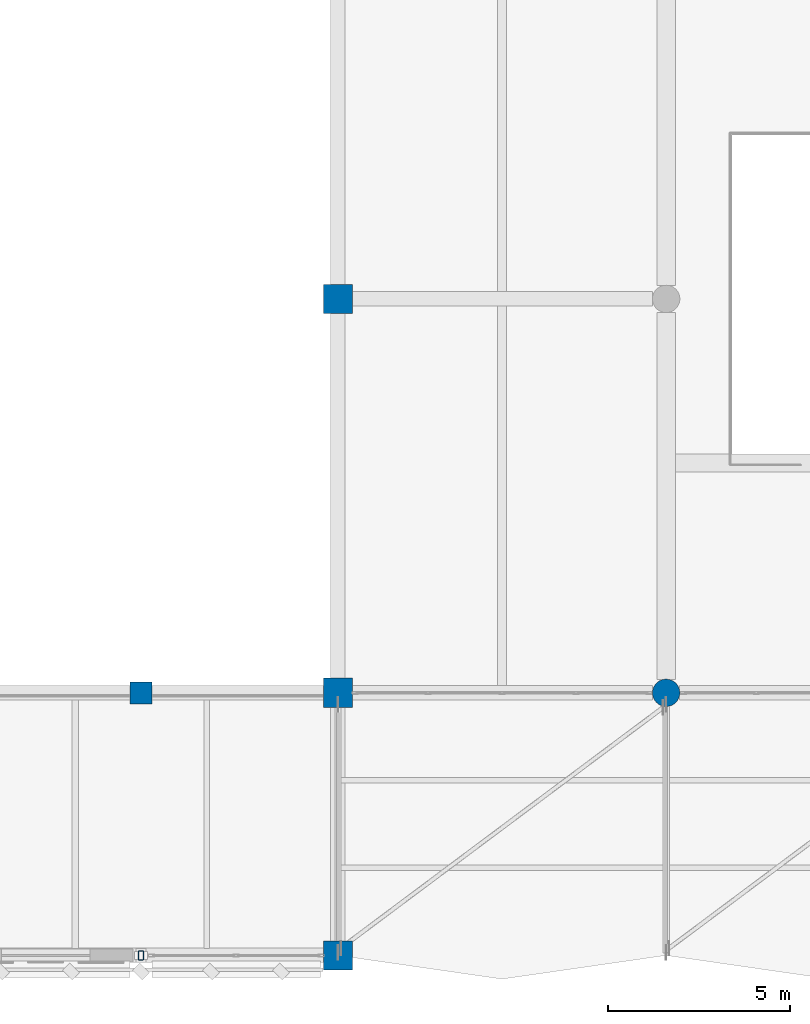
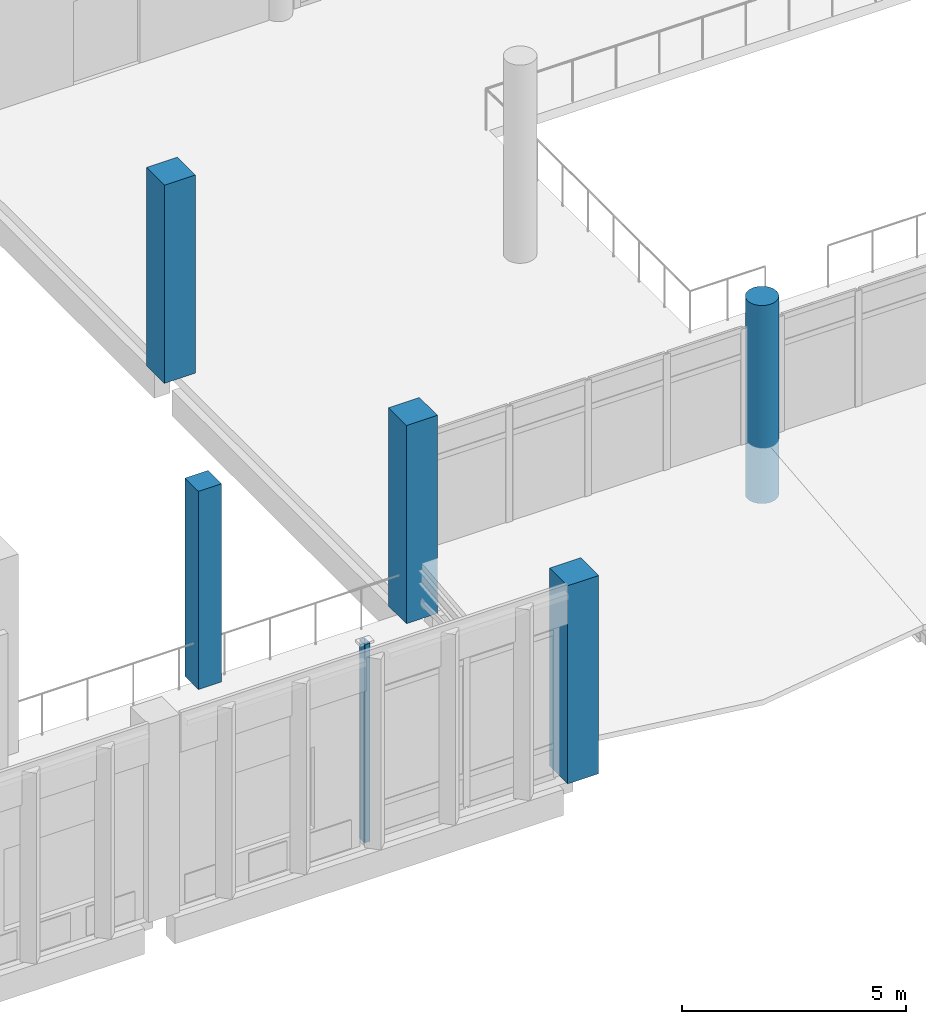
# One storey, part 5 of 180: 6 columns.
"""IFC4 building model written with IfcOpenShell, lengths in metres."""

from ifc_helpers import new_model, si_unit, direction, frame, origin, origin_2d, place, context, subcontext, project, spatial, rectangle, hollow_rectangle, circle, extrude, material, material_profile, profile_set, type_object, element, save


model = new_model("IFC4")

# Units and contexts
model_context = context("Model", 3, precision=1e-05, world=origin(), true_north=direction((0.0, 1.0)))
body_context = subcontext(model_context, "Body", "Model", "MODEL_VIEW")
ifc_project = project(units=[si_unit("LENGTHUNIT", "METRE"), si_unit("AREAUNIT", "SQUARE_METRE"), si_unit("VOLUMEUNIT", "CUBIC_METRE"), si_unit("PLANEANGLEUNIT", "RADIAN"), si_unit("MASSUNIT", "GRAM", prefix="KILO")], contexts=[model_context])

# Site, building, storey
site_placement = place(None, origin())
site = spatial("IfcSite", under=ifc_project, at=site_placement, CompositionType="ELEMENT")
building_placement = place(site_placement, origin())
building = spatial("IfcBuilding", under=site, at=building_placement, Name="Lusvemor Sports Hall", CompositionType="ELEMENT")
storey_placement = place(building_placement, frame((0.0, 0.0, 5.39990234375)))
storey = spatial("IfcBuildingStorey", under=building, at=storey_placement, Name="L01", CompositionType="ELEMENT", Elevation=5.39990234375)

# Columns
ifc_material_1 = material(Name="Concrete C40/50", Category="concrete")
ifc_material_profile_1 = material_profile(ifc_material_1, circle(Radius=0.375, at=origin_2d()), Name="RCCIRC750")
ifc_profile_set_1 = profile_set([ifc_material_profile_1], Name="Concrete C40/50")
column_type_1 = type_object("IfcColumnType", Name="COL_FOYER_R", PredefinedType="COLUMN", material=ifc_profile_set_1)
column_1_placement = place(storey_placement, frame((84.60009765625, 7.199951171875, 0.0), z_axis=(0.0, 0.0, 1.0), x_axis=(1.0, 0.0, 0.0)))
element("IfcColumn", 1, at=column_1_placement, inside=storey, type_object=column_type_1, Name="Column 9/B (L01)", PredefinedType="COLUMN", context=body_context, shape_type="SweptSolid", body=[
    extrude(circle(Radius=0.375, at=origin_2d()), origin(), (0.0, 0.0, 1.0), 5.400146484375),
])
ifc_material_2 = material(Name="Concrete C40/50", Category="concrete")
ifc_material_profile_2 = material_profile(ifc_material_2, rectangle(XDim=0.800048828125, YDim=0.800048828125, at=origin_2d()), Name="RC800x800")
ifc_profile_set_2 = profile_set([ifc_material_profile_2], Name="Concrete C40/50")
column_type_2 = type_object("IfcColumnType", Name="COL_HALL_W", PredefinedType="COLUMN", material=ifc_profile_set_2)
for number, where, z_axis, x_axis, name in (
    (2, (75.60009765625, 0.0, 0.0), (0.0, 0.0, 1.0), (1.0, 0.0, 0.0), "Column 8/A (L01)"),
    (3, (75.60009765625, 7.199951171875, 0.0), (0.0, 0.0, 1.0), (1.0, 0.0, 0.0), "Column 8/B (L01)"),
    (4, (75.60009765625, 18.0, 0.0), (0.0, 0.0, 1.0), (1.0, 0.0, 0.0), "Column 8/C (L01)"),
):
    element("IfcColumn", number, at=place(storey_placement, frame(where, z_axis=z_axis, x_axis=x_axis)), inside=storey, type_object=column_type_2, Name=name, PredefinedType="COLUMN", context=body_context, shape_type="SweptSolid", body=[
        extrude(rectangle(XDim=0.800048828125, YDim=0.800048828125, at=origin_2d()), origin(), (0.0, 0.0, 1.0), 5.400146484375),
    ])
ifc_material_3 = material(Name="Concrete C40/50", Category="concrete")
ifc_material_profile_3 = material_profile(ifc_material_3, rectangle(XDim=0.60009765625, YDim=0.60009765625, at=origin_2d()), Name="RC600x600")
ifc_profile_set_3 = profile_set([ifc_material_profile_3], Name="Concrete C40/50")
column_type_3 = type_object("IfcColumnType", Name="COL_WING_L", PredefinedType="COLUMN", material=ifc_profile_set_3)
column_2_placement = place(storey_placement, frame((70.199951171875, 7.199951171875, 0.0), z_axis=(0.0, 0.0, 1.0), x_axis=(1.0, 0.0, 0.0)))
element("IfcColumn", 5, at=column_2_placement, inside=storey, type_object=column_type_3, Name="Wave Mid-Bay Column S7 (L01)", PredefinedType="COLUMN", context=body_context, shape_type="SweptSolid", body=[
    extrude(rectangle(XDim=0.60009765625, YDim=0.60009765625, at=origin_2d()), origin(), (0.0, 0.0, 1.0), 5.400146484375),
])
ifc_material_4 = material(Name="Steel S355", Category="steel")
ifc_material_profile_4 = material_profile(ifc_material_4, hollow_rectangle(XDim=0.14990234375, YDim=0.25, WallThickness=0.010009765625, InnerFilletRadius=0.010009765625, OuterFilletRadius=0.02001953125, at=origin_2d()), Name="RHS250x150x10")
ifc_profile_set_4 = profile_set([ifc_material_profile_4], Name="Steel S355")
column_type_4 = type_object("IfcColumnType", Name="PIL_COURT_E", PredefinedType="PILASTER", material=ifc_profile_set_4)
column_3_placement = place(storey_placement, frame((70.199951171875, 0.0, 0.0), z_axis=(0.0, 0.0, 1.0), x_axis=(1.0, 0.0, 0.0)))
element("IfcColumn", 6, at=column_3_placement, inside=storey, type_object=column_type_4, Name="Boulevard Pilaster S6 (L01)", PredefinedType="PILASTER", context=body_context, shape_type="SweptSolid", body=[
    extrude(hollow_rectangle(XDim=0.14990234375, YDim=0.25, WallThickness=0.010009765625, InnerFilletRadius=0.010009765625, OuterFilletRadius=0.02001953125, at=origin_2d()), origin(), (0.0, 0.0, 1.0), 5.400146484375),
])

save(model, "model.ifc")
